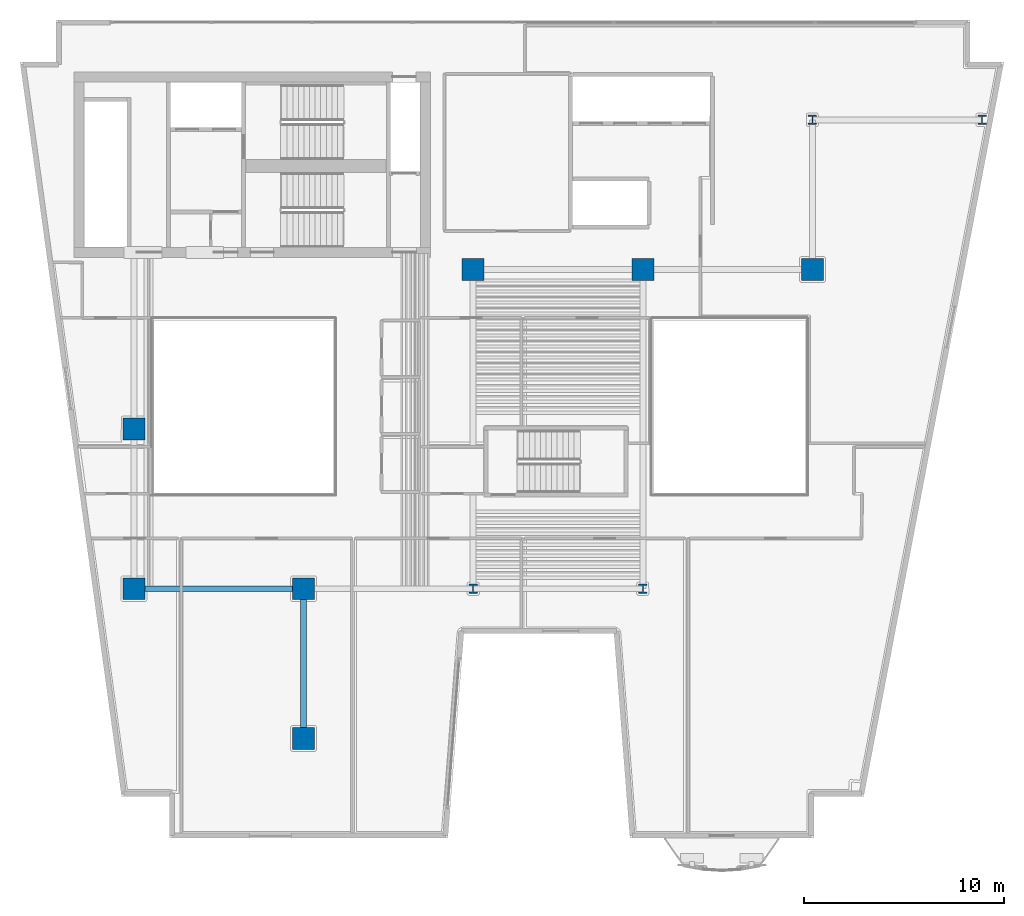
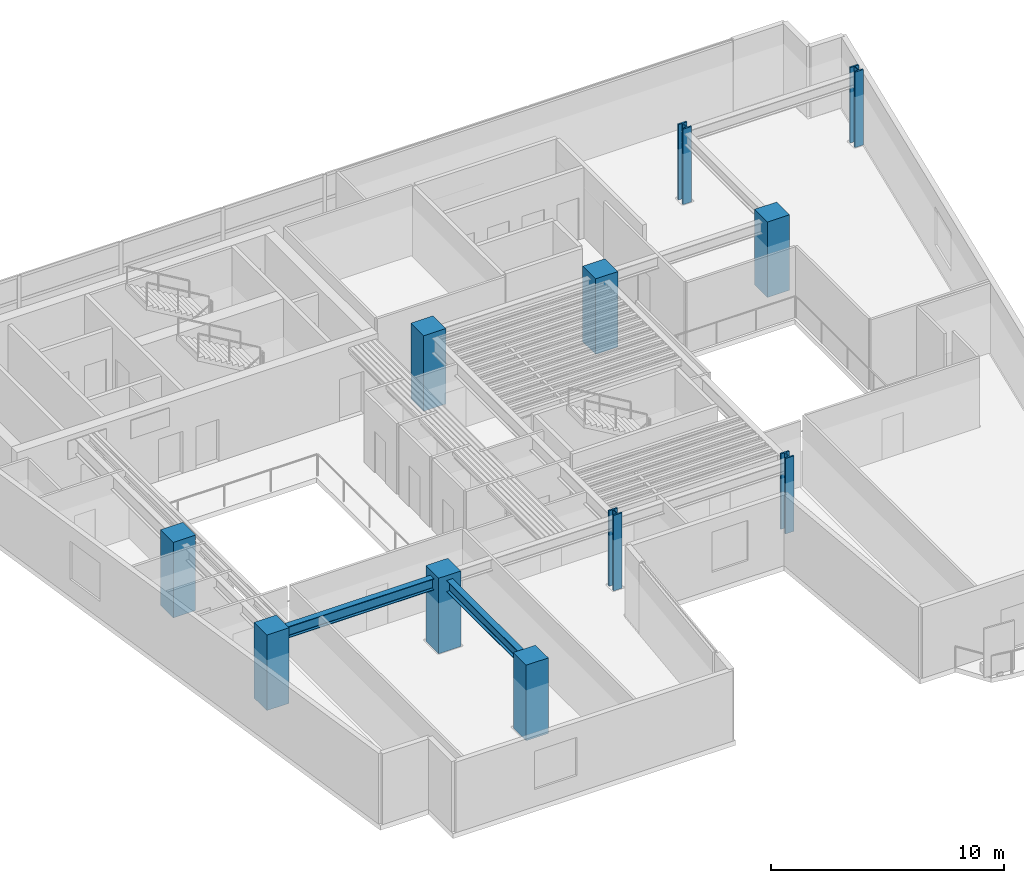
# One storey, part 1 of 12: 11 columns, 2 beams.
"""IFC4 building model written with IfcOpenShell, lengths in metres."""

from ifc_helpers import new_model, si_unit, direction, frame, origin, origin_2d, place, context, subcontext, project, spatial, rectangle, i_section, extrude, material, material_profile, profile_set, type_object, element, save


model = new_model("IFC4")

# Units and contexts
model_context = context("Model", 3, precision=1e-05, world=origin(), true_north=direction((0.0, 1.0)))
body_context = subcontext(model_context, "Body", "Model", "MODEL_VIEW")
ifc_project = project(units=[si_unit("LENGTHUNIT", "METRE"), si_unit("AREAUNIT", "SQUARE_METRE"), si_unit("VOLUMEUNIT", "CUBIC_METRE"), si_unit("PLANEANGLEUNIT", "RADIAN"), si_unit("MASSUNIT", "GRAM", prefix="KILO")], contexts=[model_context])

# Site, building, storey
site_placement = place(None, origin())
site = spatial("IfcSite", under=ifc_project, at=site_placement, CompositionType="ELEMENT")
building_placement = place(site_placement, origin())
building = spatial("IfcBuilding", under=site, at=building_placement, Name="Caeloran Harvest Quay", CompositionType="ELEMENT")
storey_placement = place(building_placement, frame((0.0, 0.0, 154.85009765625)))
storey = spatial("IfcBuildingStorey", under=building, at=storey_placement, Name="L36", CompositionType="ELEMENT", Elevation=154.85009765625)

# Columns
ifc_material_1 = material(Name="Concrete C70/85", Category="concrete")
ifc_material_profile_1 = material_profile(ifc_material_1, rectangle(XDim=1.10009765625, YDim=1.10009765625, at=origin_2d()), Name="RC 1100x1100")
ifc_profile_set_1 = profile_set([ifc_material_profile_1], Name="Concrete C70/85")
column_type_1 = type_object("IfcColumnType", Name="COL-MC-3-RC_1100x1100", PredefinedType="COLUMN", material=ifc_profile_set_1)
for number, where, z_axis, x_axis, name in (
    (1, (8.5, 15.0, 0.0), (0.0, 0.0, 1.0), (1.0, 0.0, 0.0), "L36 Structural Column (8.5, 15.0)"),
    (2, (8.5, 23.0, 0.0), (0.0, 0.0, 1.0), (1.0, 0.0, 0.0), "L36 Structural Column (8.5, 23.0)"),
    (3, (17.0, 7.5, 0.0), (0.0, 0.0, 1.0), (1.0, 0.0, 0.0), "L36 Structural Column (17.0, 7.5)"),
    (4, (17.0, 15.0, 0.0), (0.0, 0.0, 1.0), (1.0, 0.0, 0.0), "L36 Structural Column (17.0, 15.0)"),
    (5, (25.5, 31.0, 0.0), (0.0, 0.0, 1.0), (1.0, 0.0, 0.0), "L36 Structural Column (25.5, 31.0)"),
    (6, (34.0, 31.0, 0.0), (0.0, 0.0, 1.0), (1.0, 0.0, 0.0), "L36 Structural Column (34.0, 31.0)"),
    (7, (42.5, 31.0, 0.0), (0.0, 0.0, 1.0), (1.0, 0.0, 0.0), "L36 Structural Column (42.5, 31.0)"),
):
    element("IfcColumn", number, at=place(storey_placement, frame(where, z_axis=z_axis, x_axis=x_axis)), inside=storey, type_object=column_type_1, Name=name, PredefinedType="COLUMN", context=body_context, shape_type="SweptSolid", body=[
        extrude(rectangle(XDim=1.10009765625, YDim=1.10009765625, at=origin_2d()), origin(), (0.0, 0.0, 1.0), 3.949951171875),
    ])
ifc_material_2 = material(Name="Steel HISTAR 460", Category="steel")
ifc_material_profile_2 = material_profile(ifc_material_2, i_section(OverallWidth=0.424072265625, OverallDepth=0.47412109375, WebThickness=0.047607421875, FlangeThickness=0.076904296875, FilletRadius=0.014892578125, at=origin_2d()), Name="HD 400x634")
ifc_profile_set_2 = profile_set([ifc_material_profile_2], Name="Steel HISTAR 460")
column_type_2 = type_object("IfcColumnType", Name="COL-SC-3-HD_400x634", PredefinedType="COLUMN", material=ifc_profile_set_2)
for number, where, z_axis, x_axis, name in (
    (8, (25.5, 15.0, 0.0), (0.0, 0.0, 1.0), (1.0, 0.0, 0.0), "L36 Structural Column (25.5, 15.0)"),
    (9, (34.0, 15.0, 0.0), (0.0, 0.0, 1.0), (1.0, 0.0, 0.0), "L36 Structural Column (34.0, 15.0)"),
    (10, (42.5, 38.5, 0.0), (0.0, 0.0, 1.0), (1.0, 0.0, 0.0), "L36 Structural Column (42.5, 38.5)"),
    (11, (51.0, 38.5, 0.0), (0.0, 0.0, 1.0), (1.0, 0.0, 0.0), "L36 Structural Column (51.0, 38.5)"),
):
    element("IfcColumn", number, at=place(storey_placement, frame(where, z_axis=z_axis, x_axis=x_axis)), inside=storey, type_object=column_type_2, Name=name, PredefinedType="COLUMN", context=body_context, shape_type="SweptSolid", body=[
        extrude(i_section(OverallWidth=0.424072265625, OverallDepth=0.47412109375, WebThickness=0.047607421875, FlangeThickness=0.076904296875, FilletRadius=0.014892578125, at=origin_2d()), origin(), (0.0, 0.0, 1.0), 3.949951171875),
    ])

# Beams
ifc_material_3 = material(Name="Steel S355J2", Category="steel")
ifc_material_profile_3 = material_profile(ifc_material_3, i_section(OverallWidth=0.300048828125, OverallDepth=0.60009765625, WebThickness=0.015380859375, FlangeThickness=0.030029296875, FilletRadius=0.027099609375, at=origin_2d()), Name="HE 600 B")
ifc_profile_set_3 = profile_set([ifc_material_profile_3], Name="Steel S355J2")
beam_type = type_object("IfcBeamType", Name="BM-PG-3-HE_600_B", PredefinedType="BEAM", material=ifc_profile_set_3)
beam_1_placement = place(storey_placement, frame((8.5, 15.0, 3.389892578125), z_axis=(1.0, 0.0, 0.0), x_axis=(0.0, 1.0, 0.0)))
element("IfcBeam", 12, at=beam_1_placement, inside=storey, type_object=beam_type, Name="L36 Primary East-West Girder Y=15.0", PredefinedType="BEAM", context=body_context, shape_type="SweptSolid", body=[
    extrude(i_section(OverallWidth=0.300048828125, OverallDepth=0.60009765625, WebThickness=0.015380859375, FlangeThickness=0.030029296875, FilletRadius=0.027099609375, at=origin_2d()), origin(), (0.0, 0.0, 1.0), 8.5),
])
beam_2_placement = place(storey_placement, frame((17.0, 7.5, 3.389892578125), z_axis=(0.0, 1.0, 0.0), x_axis=(-1.0, 0.0, 0.0)))
element("IfcBeam", 13, at=beam_2_placement, inside=storey, type_object=beam_type, Name="L36 Primary North-South Girder X=17.0", PredefinedType="BEAM", context=body_context, shape_type="SweptSolid", body=[
    extrude(i_section(OverallWidth=0.300048828125, OverallDepth=0.60009765625, WebThickness=0.015380859375, FlangeThickness=0.030029296875, FilletRadius=0.027099609375, at=origin_2d()), origin(), (0.0, 0.0, 1.0), 7.5),
])

save(model, "model.ifc")
